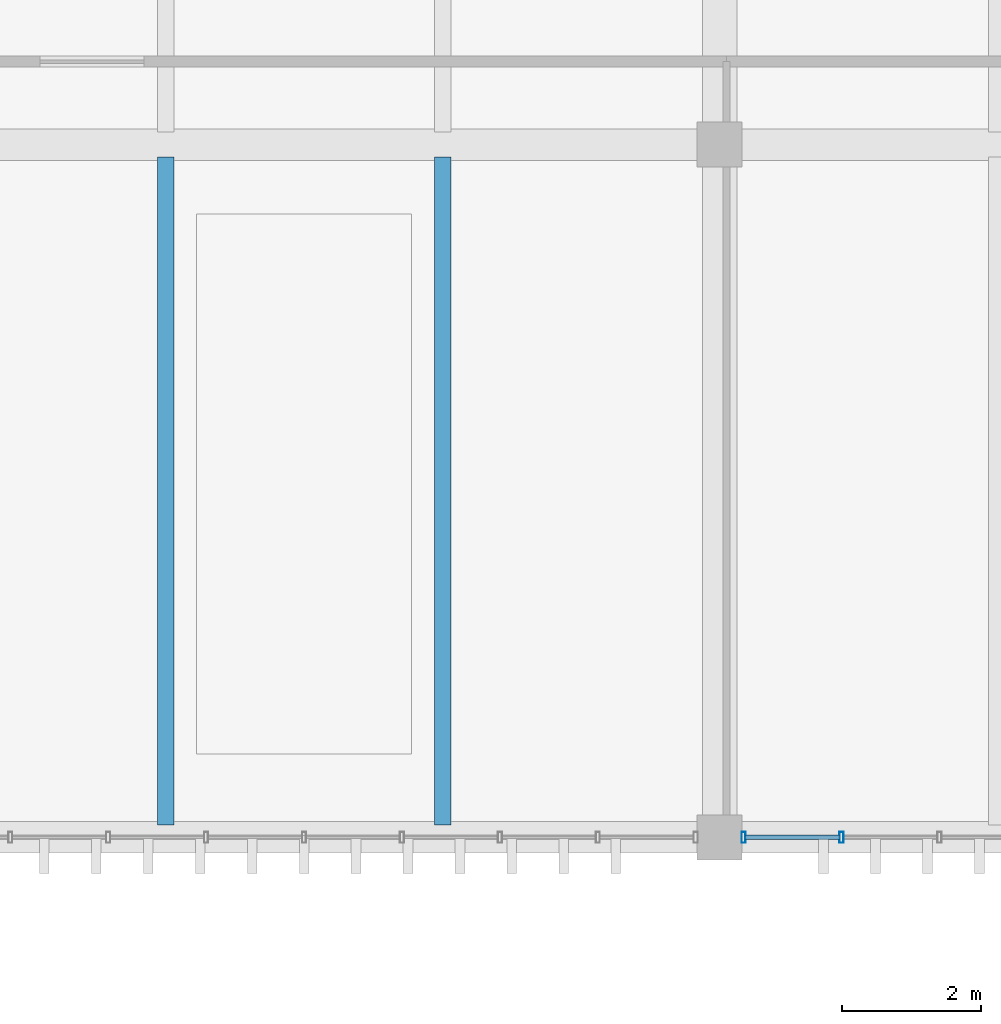
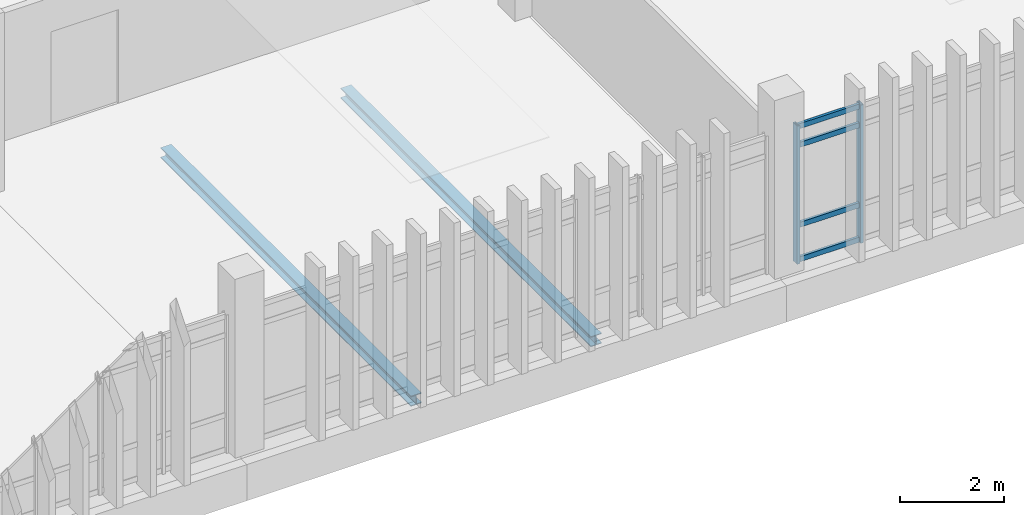
# One storey, part 18 of 82: 6 members, 2 beams, 1 element without a shape of its own.
"""IFC4 building model written with IfcOpenShell, lengths in metres."""

from ifc_helpers import new_model, si_unit, direction, frame, origin, origin_2d, place, context, subcontext, project, spatial, hollow_rectangle, i_section, extrude, material, layer, layer_set, material_profile, profile_set, type_object, element, aggregate, save


model = new_model("IFC4")

# Units and contexts
model_context = context("Model", 3, precision=1e-05, world=origin(), true_north=direction((0.0, 1.0)))
body_context = subcontext(model_context, "Body", "Model", "MODEL_VIEW")
ifc_project = project(units=[si_unit("LENGTHUNIT", "METRE"), si_unit("AREAUNIT", "SQUARE_METRE"), si_unit("VOLUMEUNIT", "CUBIC_METRE"), si_unit("PLANEANGLEUNIT", "RADIAN"), si_unit("MASSUNIT", "GRAM", prefix="KILO")], contexts=[model_context])

# Site, building, storey
site_placement = place(None, origin())
site = spatial("IfcSite", under=ifc_project, at=site_placement, CompositionType="ELEMENT")
building_placement = place(site_placement, origin())
building = spatial("IfcBuilding", under=site, at=building_placement, Name="Mersad Railyard Sports Hall", CompositionType="ELEMENT")
storey_placement = place(building_placement, frame((0.0, 0.0, 13.199951171875)))
storey = spatial("IfcBuildingStorey", under=building, at=storey_placement, Name="L03", CompositionType="ELEMENT", Elevation=13.199951171875)

# Curtain wall, members
ifc_material_1 = material(Name="Aluminium 6063-T6", Category="aluminium")
ifc_layer = layer(ifc_material_1, 0.159912109375)
ifc_layer_set = layer_set([ifc_layer], Name="Aluminium 6063-T6")
curtain_wall_type = type_object("IfcCurtainWallType", Name="ARC-CW-CW59", PredefinedType="USERDEFINED", material=ifc_layer_set)
curtain_wall_placement = place(storey_placement, origin())
curtain_wall = element("IfcCurtainWall", 1, at=curtain_wall_placement, inside=storey, type_object=curtain_wall_type, Name="Curtain wall CW59-0157", ObjectType="CURTAIN WALL", PredefinedType="USERDEFINED")
ifc_material_profile_1 = material_profile(ifc_material_1, hollow_rectangle(XDim=0.06005859375, YDim=0.159912109375, WallThickness=0.00390625, at=origin_2d()), Name="AL MULLION 60x160x4")
ifc_profile_set_1 = profile_set([ifc_material_profile_1], Name="Aluminium 6063-T6")
member_type_1 = type_object("IfcMemberType", Name="ARC-CW-MUL01", PredefinedType="MULLION", material=ifc_profile_set_1)
member_1_placement = place(storey_placement, frame((80.7587890625, 85.0, -0.02001953125), z_axis=(0.0, 0.0, 1.0), x_axis=(1.0, 0.0, 0.0)))
member_1 = element("IfcMember", 2, at=member_1_placement, type_object=member_type_1, Name="CW59 Mullion 8", PredefinedType="MULLION", context=body_context, shape_type="SweptSolid", body=[
    extrude(hollow_rectangle(XDim=0.06005859375, YDim=0.159912109375, WallThickness=0.00390625, at=origin_2d()), origin(), (0.0, 0.0, 1.0), 3.25),
])
member_2_placement = place(storey_placement, frame((79.344970703125, 85.0, -0.02001953125), z_axis=(0.0, 0.0, 1.0), x_axis=(1.0, 0.0, 0.0)))
member_2 = element("IfcMember", 3, at=member_2_placement, type_object=member_type_1, Name="CW59 Mullion 9", PredefinedType="MULLION", context=body_context, shape_type="SweptSolid", body=[
    extrude(hollow_rectangle(XDim=0.06005859375, YDim=0.159912109375, WallThickness=0.00390625, at=origin_2d()), origin(), (0.0, 0.0, 1.0), 3.25),
])
ifc_material_profile_2 = material_profile(ifc_material_1, hollow_rectangle(XDim=0.06005859375, YDim=0.1201171875, WallThickness=0.00390625, at=origin_2d()), Name="AL TRANSOM 60x120x4")
ifc_profile_set_2 = profile_set([ifc_material_profile_2], Name="Aluminium 6063-T6")
member_type_2 = type_object("IfcMemberType", Name="ARC-CW-TRN01", PredefinedType="USERDEFINED", material=ifc_profile_set_2)
member_3_placement = place(storey_placement, frame((80.73876953125, 85.0, 0.0400390625), z_axis=(-1.0, 0.0, 0.0), x_axis=(0.0, -1.0, 0.0)))
member_3 = element("IfcMember", 4, at=member_3_placement, type_object=member_type_2, Name="CW59 Transom 1-8", ObjectType="TRANSOM", PredefinedType="USERDEFINED", context=body_context, shape_type="SweptSolid", body=[
    extrude(hollow_rectangle(XDim=0.06005859375, YDim=0.1201171875, WallThickness=0.00390625, at=origin_2d()), origin(), (0.0, 0.0, 1.0), 1.373779296875),
])
member_4_placement = place(storey_placement, frame((80.73876953125, 85.0, 0.85009765625), z_axis=(-1.0, 0.0, 0.0), x_axis=(0.0, -1.0, 0.0)))
member_4 = element("IfcMember", 5, at=member_4_placement, type_object=member_type_2, Name="CW59 Transom 2-8", ObjectType="TRANSOM", PredefinedType="USERDEFINED", context=body_context, shape_type="SweptSolid", body=[
    extrude(hollow_rectangle(XDim=0.06005859375, YDim=0.1201171875, WallThickness=0.00390625, at=origin_2d()), origin(), (0.0, 0.0, 1.0), 1.373779296875),
])
member_5_placement = place(storey_placement, frame((80.73876953125, 85.0, 2.72998046875), z_axis=(-1.0, 0.0, 0.0), x_axis=(0.0, -1.0, 0.0)))
member_5 = element("IfcMember", 6, at=member_5_placement, type_object=member_type_2, Name="CW59 Transom 3-8", ObjectType="TRANSOM", PredefinedType="USERDEFINED", context=body_context, shape_type="SweptSolid", body=[
    extrude(hollow_rectangle(XDim=0.06005859375, YDim=0.1201171875, WallThickness=0.00390625, at=origin_2d()), origin(), (0.0, 0.0, 1.0), 1.373779296875),
])
member_6_placement = place(storey_placement, frame((80.73876953125, 85.0, 3.170166015625), z_axis=(-1.0, 0.0, 0.0), x_axis=(0.0, -1.0, 0.0)))
member_6 = element("IfcMember", 7, at=member_6_placement, type_object=member_type_2, Name="CW59 Transom 4-8", ObjectType="TRANSOM", PredefinedType="USERDEFINED", context=body_context, shape_type="SweptSolid", body=[
    extrude(hollow_rectangle(XDim=0.06005859375, YDim=0.1201171875, WallThickness=0.00390625, at=origin_2d()), origin(), (0.0, 0.0, 1.0), 1.373779296875),
])
aggregate(curtain_wall, [member_1, member_2, member_3, member_4, member_5, member_6])

# Beams
ifc_material_2 = material(Name="Steel S355", Category="steel")
ifc_material_profile_3 = material_profile(ifc_material_2, i_section(OverallWidth=0.239990234375, OverallDepth=0.239990234375, WebThickness=0.010009765625, FlangeThickness=0.01708984375, at=origin_2d()), Name="HEB 240")
ifc_profile_set_3 = profile_set([ifc_material_profile_3], Name="Steel S355")
beam_type = type_object("IfcBeamType", Name="STR-BM-SB04", PredefinedType="BEAM", material=ifc_profile_set_3)
for number, where, z_axis, x_axis, name in (
    (8, (71.0, 85.179931640625, -0.43994140625), (0.0, 1.0, 0.0), (-1.0, 0.0, 0.0), "Beam SB04-1283"),
    (9, (75.0, 85.179931640625, -0.43994140625), (0.0, 1.0, 0.0), (-1.0, 0.0, 0.0), "Beam SB04-1284"),
):
    element("IfcBeam", number, at=place(storey_placement, frame(where, z_axis=z_axis, x_axis=x_axis)), inside=storey, type_object=beam_type, Name=name, PredefinedType="BEAM", context=body_context, shape_type="SweptSolid", body=[
        extrude(i_section(OverallWidth=0.239990234375, OverallDepth=0.239990234375, WebThickness=0.010009765625, FlangeThickness=0.01708984375, at=origin_2d()), origin(), (0.0, 0.0, 1.0), 9.64013671875),
    ])

save(model, "model.ifc")
